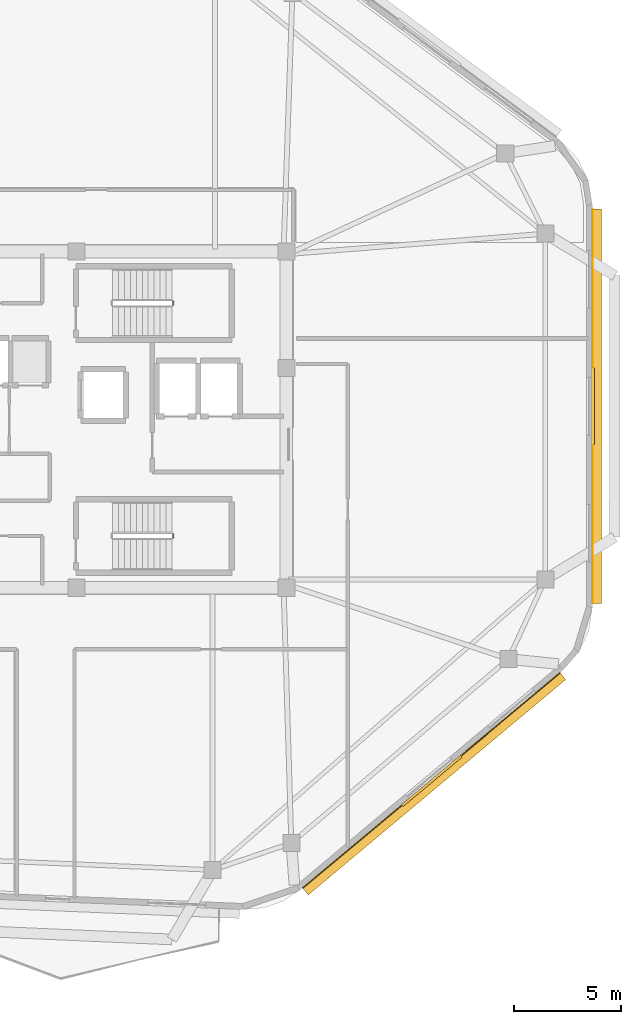
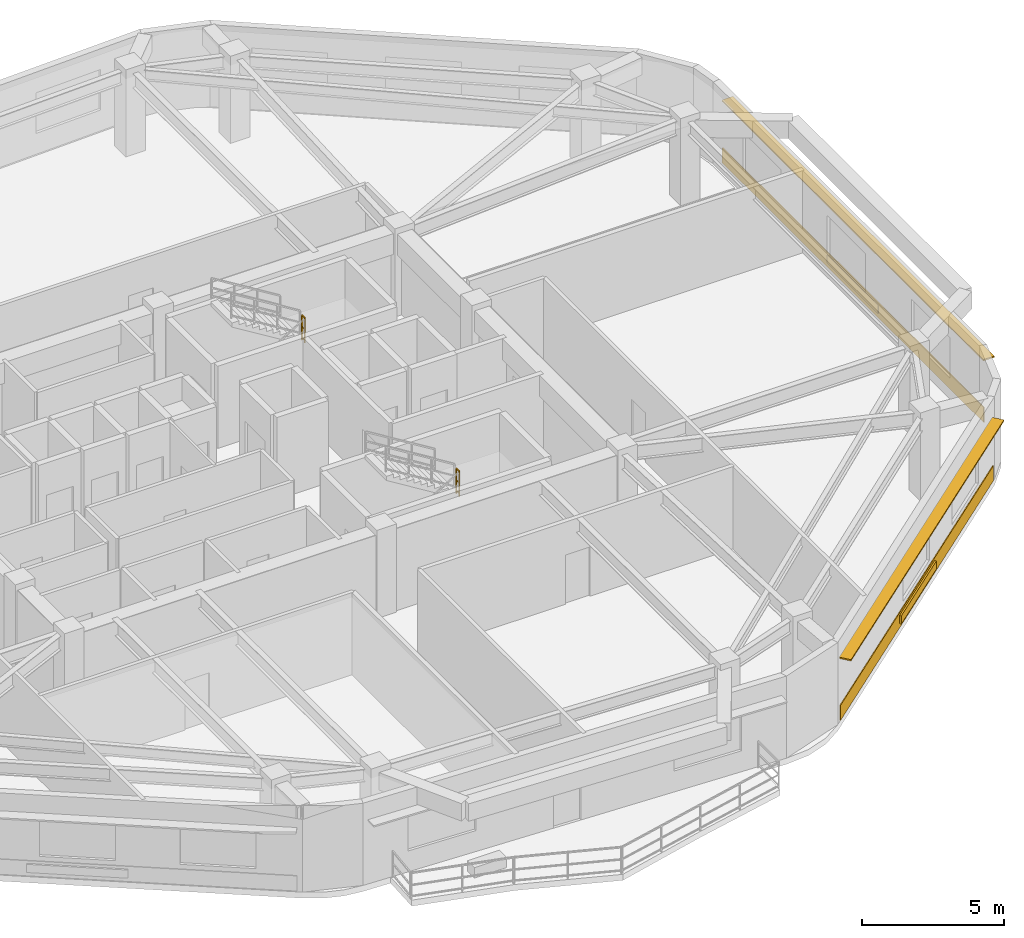
# One storey, part 8 of 10: 4 shading devices, 2 coverings, 2 railings.
"""IFC4 building model written with IfcOpenShell, lengths in metres."""

import ifcopenshell
import ifcopenshell.guid

model = None  # the IFC model being written
_history = None  # IfcOwnerHistory: only IFC2X3 demands one
_inside = {}  # id of a spatial element -> (the spatial element, [elements in it])
_under = {}  # id of a project, library or spatial element -> (it, [spatial elements below it])
_declared = {}  # id of a project -> (the project, [libraries it declares])
_typed = {}  # id of a type object -> (the type object, [elements of that type])
_made_of = {}  # id of a material, layer set ... -> (it, [elements and type objects made of it])


def new_model(schema):
    """Start an empty IFC model of exactly this schema.

    Asked for "IFC4X3", IfcOpenShell would pick the latest addendum, in which some entities
    have other attributes; the version numbers below select the first issue.
    IFC2X3 requires an IfcOwnerHistory on every rooted entity: one is made here for all.
    """
    global model, _history
    if schema == "IFC4X3":
        model = ifcopenshell.file(schema_version=(4, 3, 0, 0))
    else:
        model = ifcopenshell.file(schema=schema)
    _inside.clear()
    _under.clear()
    _declared.clear()
    _typed.clear()
    _made_of.clear()
    _history = None
    if model.schema == "IFC2X3":
        org = make("IfcOrganization", Name="unknown")
        user = make(
            "IfcPersonAndOrganization",
            ThePerson=make("IfcPerson", FamilyName="unknown"),
            TheOrganization=org,
        )
        app = make(
            "IfcApplication",
            ApplicationDeveloper=org,
            Version="unknown",
            ApplicationFullName="unknown",
            ApplicationIdentifier="unknown",
        )
        _history = make(
            "IfcOwnerHistory",
            OwningUser=user,
            OwningApplication=app,
            ChangeAction="ADDED",
            CreationDate=0,
        )
    return model


def make(cls, **values):
    """One entity of the class cls with the attributes given. An attribute that is None is left unset."""
    return model.create_entity(
        cls, **{name: value for name, value in values.items() if value is not None}
    )


def rooted(cls, **values):
    """An entity with a GlobalId (a new one), such as an element, a storey or a relation."""
    return make(cls, GlobalId=ifcopenshell.guid.new(), OwnerHistory=_history, **values)


def si_unit(unit_type, name, prefix=None):
    """IfcSIUnit, for example si_unit("LENGTHUNIT", "METRE", prefix="MILLI")."""
    return make("IfcSIUnit", UnitType=unit_type, Prefix=prefix, Name=name)


def assignment(units):
    """IfcUnitAssignment: the units of a project."""
    return None if units is None else make("IfcUnitAssignment", Units=units)


def point(xyz):
    """IfcCartesianPoint."""
    return None if xyz is None else make("IfcCartesianPoint", Coordinates=xyz)


def direction(xyz):
    """IfcDirection."""
    return None if xyz is None else make("IfcDirection", DirectionRatios=xyz)


def frame(location, z_axis=None, x_axis=None):
    """IfcAxis2Placement3D, a coordinate frame: its origin and axes. An axis left out is left unset."""
    return make(
        "IfcAxis2Placement3D",
        Location=point(location),
        Axis=direction(z_axis),
        RefDirection=direction(x_axis),
    )


def frame_2d(location, x_axis=None):
    """IfcAxis2Placement2D, a coordinate frame in the plane: its origin and x axis."""
    return make(
        "IfcAxis2Placement2D", Location=point(location), RefDirection=direction(x_axis)
    )


def origin():
    """The frame at (0, 0, 0) with its axes left unset."""
    return frame((0.0, 0.0, 0.0))


def origin_2d():
    """The frame at (0, 0) in the plane with its x axis left unset."""
    return frame_2d((0.0, 0.0))


def place(relative_to, where):
    """IfcLocalPlacement: puts the frame where relative to a parent placement (None: the world)."""
    return make(
        "IfcLocalPlacement", PlacementRelTo=relative_to, RelativePlacement=where
    )


def context(
    kind, dimensions, precision=None, world=None, true_north=None, identifier=None
):
    """IfcGeometricRepresentationContext, for example the 3D "Model" context."""
    return make(
        "IfcGeometricRepresentationContext",
        ContextIdentifier=identifier,
        ContextType=kind,
        CoordinateSpaceDimension=dimensions,
        Precision=precision,
        WorldCoordinateSystem=world,
        TrueNorth=true_north,
    )


def subcontext(parent, identifier, kind, view, scale=None):
    """IfcGeometricRepresentationSubContext, for example "Body" below "Model"."""
    return make(
        "IfcGeometricRepresentationSubContext",
        ContextIdentifier=identifier,
        ContextType=kind,
        ParentContext=parent,
        TargetScale=scale,
        TargetView=view,
    )


def project(units=None, contexts=None):
    """IfcProject with its units and contexts."""
    return rooted(
        "IfcProject",
        Name="project",
        RepresentationContexts=contexts,
        UnitsInContext=assignment(units),
    )


def spatial(cls, under=None, at=None, **own):
    """A site, building, storey or space (cls), placed at a placement, below another one or the project."""
    s = rooted(cls, ObjectPlacement=at, **own)
    if under is not None:
        _under.setdefault(under.id(), (under, []))[1].append(s)
    return s


def profile(cls, at=None, kind="AREA", **sizes):
    """A parametric profile (cls). Its sizes go by their IFC names, for example OverallWidth=200.0."""
    return make(cls, ProfileType=kind, Position=at, **sizes)


def rectangle(**sizes):
    """IfcRectangleProfileDef."""
    return profile("IfcRectangleProfileDef", **sizes)


def extrude(swept, where, along, depth):
    """IfcExtrudedAreaSolid: the profile swept, set in the frame where, extruded along a direction by depth."""
    return make(
        "IfcExtrudedAreaSolid",
        SweptArea=swept,
        Position=where,
        ExtrudedDirection=direction(along),
        Depth=depth,
    )


def shape(context_of_items, identifier, shape_type, items):
    """IfcShapeRepresentation: the items that make up one representation, for example the "Body"."""
    return make(
        "IfcShapeRepresentation",
        ContextOfItems=context_of_items,
        RepresentationIdentifier=identifier,
        RepresentationType=shape_type,
        Items=items,
    )


def material(Name=None, Category=None):
    """IfcMaterial."""
    return make("IfcMaterial", Name=Name, Category=Category)


def layer(
    of_material, thickness, ventilated=None, Name=None, Category=None, Priority=None
):
    """IfcMaterialLayer: one layer of a wall or slab, of a material (None: an air gap)."""
    return make(
        "IfcMaterialLayer",
        Material=of_material,
        LayerThickness=thickness,
        IsVentilated=ventilated,
        Name=Name,
        Category=Category,
        Priority=Priority,
    )


def layer_set(layers, Name=None):
    """IfcMaterialLayerSet."""
    return make("IfcMaterialLayerSet", MaterialLayers=layers, LayerSetName=Name)


def made_of(thing, what):
    """Note that an element or type object is made of a material, layer set ...; save() writes the relation."""
    if what is not None:
        _made_of.setdefault(what.id(), (what, []))[1].append(thing)
    return thing


def type_object(cls, material=None, **own):
    """A type object (cls), such as IfcWallType, which elements share."""
    return made_of(rooted(cls, **own), material)


def element(
    cls,
    number,
    at=None,
    inside=None,
    cuts=None,
    type_object=None,
    material=None,
    context=None,
    identifier="Body",
    shape_type=None,
    held_by="IfcProductDefinitionShape",
    body=None,
    shapes=None,
    **own,
):
    """One element of the class cls, such as IfcWall. Its Tag is "e" and its number.

    at: its placement. inside: the storey or other place that contains it. cuts: it is an
    opening in that element (IfcRelVoidsElement). A single representation is given by context,
    identifier, shape_type and body (its items); several are given by shapes. held_by: the class
    of the entity that holds the representations. save() writes the other relations.
    """
    e = rooted(cls, Tag="e%d" % number, ObjectPlacement=at, **own)
    if body is not None:
        shapes = [shape(context, identifier, shape_type, body)]
    if shapes is not None:
        e.Representation = make(held_by, Representations=shapes)
    if inside is not None:
        _inside.setdefault(inside.id(), (inside, []))[1].append(e)
    if cuts is not None:
        rooted(
            "IfcRelVoidsElement", RelatingBuildingElement=cuts, RelatedOpeningElement=e
        )
    if type_object is not None:
        _typed.setdefault(type_object.id(), (type_object, []))[1].append(e)
    return made_of(e, material)


def aggregate(whole, parts):
    """IfcRelAggregates: a whole, such as a stair, and the parts it consists of."""
    return rooted("IfcRelAggregates", RelatingObject=whole, RelatedObjects=parts)


def save(model, path):
    """Write the relations noted so far, then the file.

    IfcRelAggregates (storeys below a building ...), IfcRelContainedInSpatialStructure (elements
    in a storey), IfcRelDefinesByType, IfcRelAssociatesMaterial and IfcRelDeclares: one each for
    every whole, place, type object, material and project.
    """
    for whole, parts in _under.values():
        aggregate(whole, parts)
    for where, things in _inside.values():
        rooted(
            "IfcRelContainedInSpatialStructure",
            RelatedElements=things,
            RelatingStructure=where,
        )
    for kind, things in _typed.values():
        rooted("IfcRelDefinesByType", RelatedObjects=things, RelatingType=kind)
    for what, things in _made_of.values():
        rooted("IfcRelAssociatesMaterial", RelatedObjects=things, RelatingMaterial=what)
    for by, libraries in _declared.values():
        rooted("IfcRelDeclares", RelatingContext=by, RelatedDefinitions=libraries)
    model.write(path)


model = new_model("IFC4")

# Units and contexts
model_context = context("Model", 3, precision=1e-05, world=origin(), true_north=direction((0.0, 1.0)))
body_context = subcontext(model_context, "Body", "Model", "MODEL_VIEW")
ifc_project = project(units=[si_unit("LENGTHUNIT", "METRE"), si_unit("AREAUNIT", "SQUARE_METRE"), si_unit("VOLUMEUNIT", "CUBIC_METRE"), si_unit("PLANEANGLEUNIT", "RADIAN"), si_unit("MASSUNIT", "GRAM", prefix="KILO")], contexts=[model_context])

# Site, building, storey
site_placement = place(None, origin())
site = spatial("IfcSite", under=ifc_project, at=site_placement, CompositionType="ELEMENT")
building_placement = place(site_placement, origin())
building = spatial("IfcBuilding", under=site, at=building_placement, Name="Zulverin Broadcast Headquarters", CompositionType="ELEMENT")
storey_placement = place(building_placement, frame((0.0, 0.0, 282.0)))
storey = spatial("IfcBuildingStorey", under=building, at=storey_placement, Name="L72", CompositionType="ELEMENT", Elevation=282.0)

# Coverings
ifc_material_1 = material(Name="Brushed pale-aluminium rainscreen cladding", Category="aluminium")
ifc_layer_1 = layer(ifc_material_1, 0.0400390625, Name="Brushed pale-aluminium rainscreen cladding", Category="aluminium")
ifc_layer_set_1 = layer_set([ifc_layer_1], Name="Brushed pale-aluminium rainscreen cladding")
covering_type = type_object("IfcCoveringType", Name="COV-CLAD-PALE", PredefinedType="CLADDING", material=ifc_layer_set_1)
covering_1_placement = place(storey_placement, frame((55.064697265625, 8.303955078125, 0.054931640625), z_axis=(0.0, 0.0, 1.0), x_axis=(0.76703526936, 0.641604937292, 0.0)))
element("IfcCovering", 1, at=covering_1_placement, inside=storey, type_object=covering_type, Name="L72 Brushed Pale-Aluminium Spandrel Cladding 2", PredefinedType="CLADDING", context=body_context, shape_type="SweptSolid", body=[
    extrude(rectangle(XDim=15.71337890625, YDim=0.0400390625, at=origin_2d()), origin(), (0.0, 0.0, 1.0), 0.64990234375),
])
covering_2_placement = place(storey_placement, frame((62.610107421875, 25.82275390625, 0.054931640625), z_axis=(0.0, 0.0, 1.0), x_axis=(0.0, 1.0, 0.0)))
element("IfcCovering", 2, at=covering_2_placement, inside=storey, type_object=covering_type, Name="L72 Brushed Pale-Aluminium Spandrel Cladding 3", PredefinedType="CLADDING", context=body_context, shape_type="SweptSolid", body=[
    extrude(rectangle(XDim=18.45458984375, YDim=0.0400390625, at=origin_2d()), origin(), (0.0, 0.0, 1.0), 0.64990234375),
])

# Railings
ifc_material_2 = material(Name="Painted galvanized steel tubular guardrail S355JR", Category="steel")
railing_type = type_object("IfcRailingType", Name="RL-ST-GUARD", PredefinedType="GUARDRAIL", material=ifc_material_2)
railing_1_placement = place(storey_placement, frame((42.97998046875, 30.550048828125, 1.89990234375)))
element("IfcRailing", 3, at=railing_1_placement, inside=storey, type_object=railing_type, Name="L72 ST-1 stair guard 2", PredefinedType="GUARDRAIL", context=body_context, shape_type="SweptSolid", body=[
    extrude(rectangle(XDim=0.048095703125, YDim=0.048095703125, at=origin_2d()), frame((0.0, 0.0, 1.076171875), z_axis=(0.0, 1.0, 0.0), x_axis=(-1.0, 0.0, 0.0)), (0.0, 0.0, 1.0), 0.199951171875),
    extrude(rectangle(XDim=0.0419921875, YDim=0.0419921875, at=origin_2d()), frame((0.0, 0.0, 0.572021484375), z_axis=(0.0, 1.0, 0.0), x_axis=(-1.0, 0.0, 0.0)), (0.0, 0.0, 1.0), 0.199951171875),
    extrude(rectangle(XDim=0.0419921875, YDim=0.0419921875, at=origin_2d()), frame((0.0, 0.0, 0.1201171875), z_axis=(0.0, 1.0, 0.0), x_axis=(-1.0, 0.0, 0.0)), (0.0, 0.0, 1.0), 0.199951171875),
    extrude(rectangle(XDim=0.0419921875, YDim=0.0419921875, at=origin_2d()), origin(), (0.0, 0.0, 1.0), 1.052001953125),
    extrude(rectangle(XDim=0.0419921875, YDim=0.0419921875, at=origin_2d()), frame((0.0, 0.199951171875, 0.0)), (0.0, 0.0, 1.0), 1.052001953125),
])
railing_2_placement = place(storey_placement, frame((42.97998046875, 19.64990234375, 1.89990234375)))
element("IfcRailing", 4, at=railing_2_placement, inside=storey, type_object=railing_type, Name="L72 ST-2 stair guard 2", PredefinedType="GUARDRAIL", context=body_context, shape_type="SweptSolid", body=[
    extrude(rectangle(XDim=0.048095703125, YDim=0.048095703125, at=origin_2d()), frame((0.0, 0.0, 1.076171875), z_axis=(0.0, 1.0, 0.0), x_axis=(-1.0, 0.0, 0.0)), (0.0, 0.0, 1.0), 0.2001953125),
    extrude(rectangle(XDim=0.0419921875, YDim=0.0419921875, at=origin_2d()), frame((0.0, 0.0, 0.572021484375), z_axis=(0.0, 1.0, 0.0), x_axis=(-1.0, 0.0, 0.0)), (0.0, 0.0, 1.0), 0.2001953125),
    extrude(rectangle(XDim=0.0419921875, YDim=0.0419921875, at=origin_2d()), frame((0.0, 0.0, 0.1201171875), z_axis=(0.0, 1.0, 0.0), x_axis=(-1.0, 0.0, 0.0)), (0.0, 0.0, 1.0), 0.2001953125),
    extrude(rectangle(XDim=0.0419921875, YDim=0.0419921875, at=origin_2d()), origin(), (0.0, 0.0, 1.0), 1.052001953125),
    extrude(rectangle(XDim=0.0419921875, YDim=0.0419921875, at=origin_2d()), frame((0.0, 0.2001953125, 0.0)), (0.0, 0.0, 1.0), 1.052001953125),
])

# Shading devices
ifc_material_3 = material(Name="Anodized pale-metal aluminium acoustic louvre", Category="aluminium")
shading_device_type_1 = type_object("IfcShadingDeviceType", Name="SHD-LOUVRE-350", PredefinedType="USERDEFINED", material=ifc_material_3)
for number, where, z_axis, x_axis, name in (
    (5, (55.083984375, 8.281005859375, 0.244873046875), (0.0, 0.0, 1.0), (0.76703526936, 0.641604937292, 0.0), "L72 Spandrel Intake Louvre 2"),
    (6, (62.639892578125, 25.82275390625, 0.244873046875), (0.0, 0.0, 1.0), (0.0, 1.0, 0.0), "L72 Spandrel Intake Louvre 3"),
):
    element("IfcShadingDevice", number, at=place(storey_placement, frame(where, z_axis=z_axis, x_axis=x_axis)), inside=storey, type_object=shading_device_type_1, Name=name, ObjectType="LOUVRE", PredefinedType="USERDEFINED", context=body_context, shape_type="SweptSolid", body=[
        extrude(rectangle(XDim=3.60009765625, YDim=0.1201171875, at=origin_2d()), origin(), (0.0, 0.0, 1.0), 0.35009765625),
    ])
ifc_material_4 = material(Name="Anodized pale-metal aluminium sunshade", Category="aluminium")
ifc_layer_2 = layer(ifc_material_4, 0.06005859375, Name="Anodized pale-metal aluminium sunshade", Category="aluminium")
ifc_layer_set_2 = layer_set([ifc_layer_2], Name="Anodized pale-metal aluminium sunshade")
shading_device_type_2 = type_object("IfcShadingDeviceType", Name="SS-01_PALE_METAL_ALUMINIUM_SUNSHADE", PredefinedType="USERDEFINED", material=ifc_layer_set_2)
shading_device_1_placement = place(storey_placement, frame((55.186767578125, 8.158203125, 2.7099609375), z_axis=(0.0, 0.0, 1.0), x_axis=(0.76703526936, 0.641604937292, 0.0)))
element("IfcShadingDevice", 7, at=shading_device_1_placement, inside=storey, type_object=shading_device_type_2, Name="L72 Horizontal Pale-Metal Sunshade Band 2", ObjectType="SUNSHADE", PredefinedType="USERDEFINED", context=body_context, shape_type="SweptSolid", body=[
    extrude(rectangle(XDim=15.71337890625, YDim=0.449951171875, at=origin_2d()), origin(), (0.0, 0.0, 1.0), 0.06005859375),
])
shading_device_2_placement = place(storey_placement, frame((62.800048828125, 25.82275390625, 2.7099609375), z_axis=(0.0, 0.0, 1.0), x_axis=(0.0, 1.0, 0.0)))
element("IfcShadingDevice", 8, at=shading_device_2_placement, inside=storey, type_object=shading_device_type_2, Name="L72 Horizontal Pale-Metal Sunshade Band 3", ObjectType="SUNSHADE", PredefinedType="USERDEFINED", context=body_context, shape_type="SweptSolid", body=[
    extrude(rectangle(XDim=18.45458984375, YDim=0.449951171875, at=origin_2d()), origin(), (0.0, 0.0, 1.0), 0.06005859375),
])

save(model, "model.ifc")
